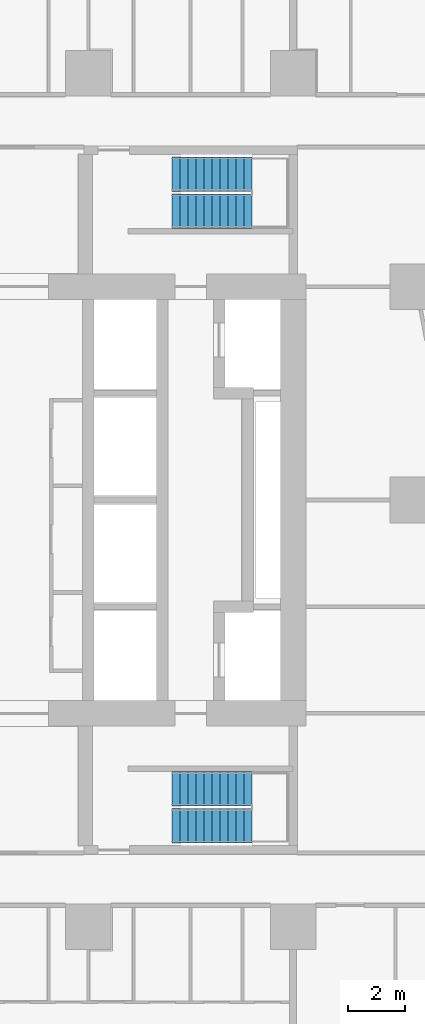
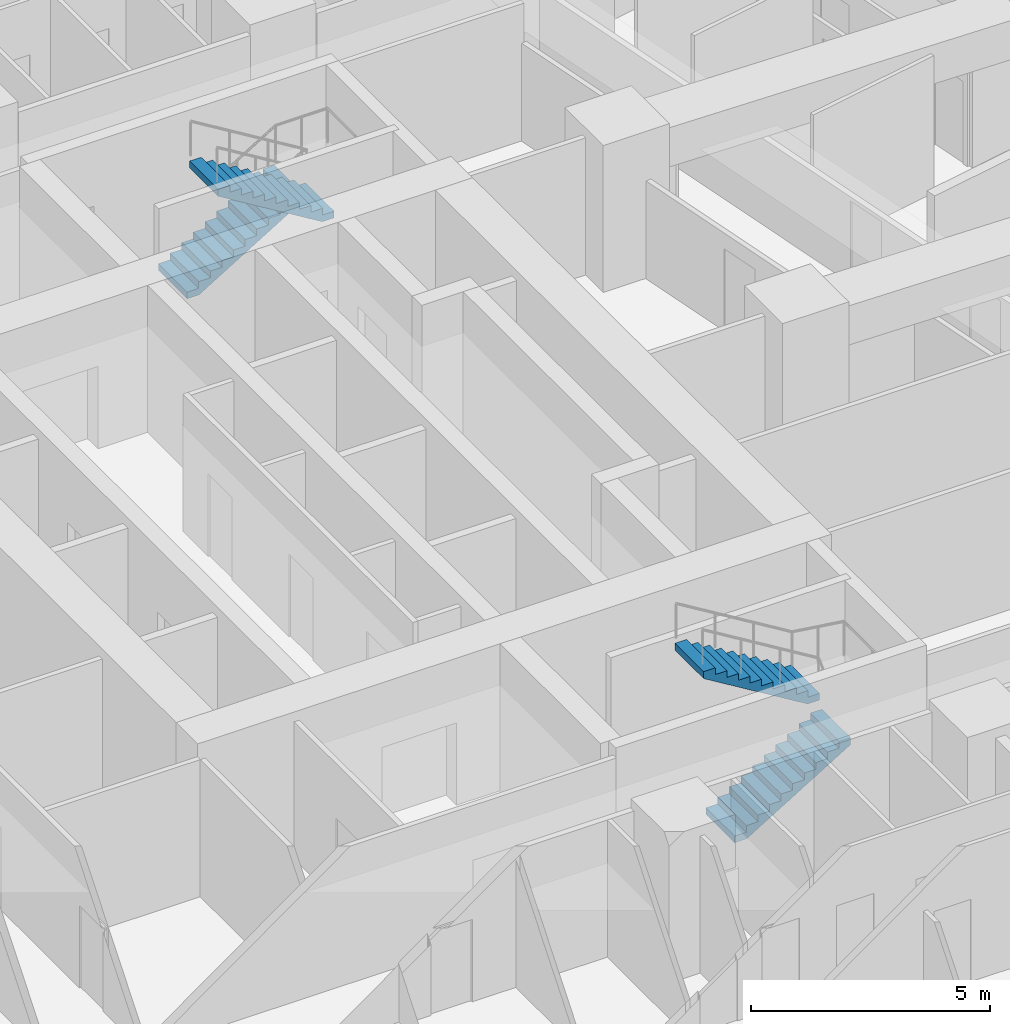
# One storey, part 12 of 15: 4 stair flights, 2 elements without a shape of their own.
"""IFC4 building model written with IfcOpenShell, lengths in metres."""

from ifc_helpers import new_model, si_unit, direction, frame, origin, place, context, subcontext, project, spatial, triangles, material, type_object, element, aggregate, save


model = new_model("IFC4")

# Units and contexts
model_context = context("Model", 3, precision=1e-05, world=origin(), true_north=direction((0.0, 1.0)))
body_context = subcontext(model_context, "Body", "Model", "MODEL_VIEW")
ifc_project = project(units=[si_unit("LENGTHUNIT", "METRE"), si_unit("AREAUNIT", "SQUARE_METRE"), si_unit("VOLUMEUNIT", "CUBIC_METRE"), si_unit("PLANEANGLEUNIT", "RADIAN"), si_unit("MASSUNIT", "GRAM", prefix="KILO")], contexts=[model_context])

# Site, building, storey
site_placement = place(None, origin())
site = spatial("IfcSite", under=ifc_project, at=site_placement, CompositionType="ELEMENT")
building_placement = place(site_placement, origin())
building = spatial("IfcBuilding", under=site, at=building_placement, Name="Sheger Commons Tower", CompositionType="ELEMENT")
storey_placement = place(building_placement, frame((0.0, 0.0, 85.39990234375)))
storey = spatial("IfcBuildingStorey", under=building, at=storey_placement, Name="L21", CompositionType="ELEMENT", Elevation=85.39990234375)

# Stair, stair flights
ifc_material_1 = material(Name="Concrete C35/45", Category="concrete")
stair_type = type_object("IfcStairType", Name="HALF-TURN STAIR 1200 RISE 3750", PredefinedType="HALF_TURN_STAIR", material=ifc_material_1)
stair_1_placement = place(storey_placement, origin())
stair_1 = element("IfcStair", 1, at=stair_1_placement, inside=storey, type_object=stair_type, Name="Stair S1 L21", PredefinedType="HALF_TURN_STAIR")
ifc_material_2 = material(Name="Concrete C35/45", Category="concrete")
stair_flight_type = type_object("IfcStairFlightType", Name="STAIR FLIGHT 1200 11 RISERS OF 170", PredefinedType="STRAIGHT", material=ifc_material_2)
stair_flight_1_placement = place(storey_placement, frame((24.550048828125, 11.050048828125, 0.0), z_axis=(0.0, 0.0, 1.0), x_axis=(1.0, 0.0, 0.0)))
stair_flight_1 = element("IfcStairFlight", 2, at=stair_flight_1_placement, type_object=stair_flight_type, Name="S1 flight 1", NumberOfRisers=11, NumberOfTreads=10, PredefinedType="STRAIGHT", RiserHeight=0.170454545, TreadLength=0.28, context=body_context, shape_type="Tessellation", body=[
    triangles([(0.0, 0.5999755859375, 0.0), (0.0, 0.5999755859375, 0.17041015625), (0.280029296875, 0.5999755859375, 0.17041015625), (0.280029296875, 0.5999755859375, 0.3408203125), (0.56005859375, 0.5999755859375, 0.3408203125), (0.56005859375, 0.5999755859375, 0.511474609375), (0.840087890625, 0.5999755859375, 0.511474609375), (0.840087890625, 0.5999755859375, 0.681884765625), (1.1201171875, 0.5999755859375, 0.681884765625), (1.1201171875, 0.5999755859375, 0.852294921875), (1.39990234375, 0.5999755859375, 0.852294921875), (1.39990234375, 0.5999755859375, 1.022705078125), (1.679931640625, 0.5999755859375, 1.022705078125), (1.679931640625, 0.5999755859375, 1.193115234375), (1.9599609375, 0.5999755859375, 1.193115234375), (1.9599609375, 0.5999755859375, 1.363525390625), (2.239990234375, 0.5999755859375, 1.363525390625), (2.239990234375, 0.5999755859375, 1.5341796875), (2.52001953125, 0.5999755859375, 1.5341796875), (2.52001953125, 0.5999755859375, 1.70458984375), (2.800048828125, 0.5999755859375, 1.70458984375), (2.800048828125, 0.5999755859375, 1.529052734375), (0.288330078125, 0.5999755859375, 0.0), (0.0, -0.5999755859375, 0.0), (0.0, -0.5999755859375, 0.17041015625), (0.280029296875, -0.5999755859375, 0.17041015625), (0.280029296875, -0.5999755859375, 0.3408203125), (0.56005859375, -0.5999755859375, 0.3408203125), (0.56005859375, -0.5999755859375, 0.511474609375), (0.840087890625, -0.5999755859375, 0.511474609375), (0.840087890625, -0.5999755859375, 0.681884765625), (1.1201171875, -0.5999755859375, 0.681884765625), (1.1201171875, -0.5999755859375, 0.852294921875), (1.39990234375, -0.5999755859375, 0.852294921875), (1.39990234375, -0.5999755859375, 1.022705078125), (1.679931640625, -0.5999755859375, 1.022705078125), (1.679931640625, -0.5999755859375, 1.193115234375), (1.9599609375, -0.5999755859375, 1.193115234375), (1.9599609375, -0.5999755859375, 1.363525390625), (2.239990234375, -0.5999755859375, 1.363525390625), (2.239990234375, -0.5999755859375, 1.5341796875), (2.52001953125, -0.5999755859375, 1.5341796875), (2.52001953125, -0.5999755859375, 1.70458984375), (2.800048828125, -0.5999755859375, 1.70458984375), (2.800048828125, -0.5999755859375, 1.529052734375), (0.288330078125, -0.5999755859375, 0.0), (0.0, 0.0, 0.085205078125), (0.1400146484375, 0.0, 0.17041015625), (0.280029296875, 0.0, 0.255615234375), (0.4200439453125, 0.0, 0.3408203125), (0.56005859375, 0.0, 0.4261474609375), (0.7000732421875, 0.0, 0.511474609375), (0.840087890625, 0.0, 0.5966796875), (0.9801025390625, 0.0, 0.681884765625), (1.1201171875, 0.0, 0.76708984375), (1.260009765625, 0.0, 0.852294921875), (1.39990234375, 0.0, 0.9375), (1.5399169921875, 0.0, 1.022705078125), (1.679931640625, 0.0, 1.10791015625), (1.8199462890625, 0.0, 1.193115234375), (1.9599609375, 0.0, 1.2783203125), (2.0999755859375, 0.0, 1.363525390625), (2.239990234375, 0.0, 1.4488525390625), (2.3800048828125, 0.0, 1.5341796875), (2.52001953125, 0.0, 1.619384765625), (2.6600341796875, 0.0, 1.70458984375), (2.800048828125, 0.0, 1.6168212890625), (1.544189453125, 0.0, 0.7645263671875), (0.1441650390625, 0.0, 0.0)], [[1, 22, 23], [24, 46, 45], [22, 20, 21], [45, 44, 43], [22, 19, 20], [45, 43, 42], [22, 18, 19], [45, 42, 41], [22, 17, 18], [45, 41, 40], [17, 15, 16], [40, 39, 38], [22, 15, 17], [45, 40, 38], [15, 13, 14], [38, 37, 36], [22, 13, 15], [45, 38, 36], [13, 11, 12], [36, 35, 34], [22, 11, 13], [45, 36, 34], [11, 9, 10], [34, 33, 32], [22, 9, 11], [45, 34, 32], [9, 7, 8], [32, 31, 30], [22, 7, 9], [45, 32, 30], [7, 5, 6], [30, 29, 28], [22, 5, 7], [45, 30, 28], [5, 3, 4], [28, 27, 26], [22, 3, 5], [45, 28, 26], [1, 3, 22], [24, 45, 26], [3, 1, 2], [26, 25, 24], [1, 47, 2], [2, 47, 25], [25, 47, 24], [24, 47, 1], [2, 48, 3], [3, 48, 26], [26, 48, 25], [25, 48, 2], [3, 49, 4], [4, 49, 27], [27, 49, 26], [26, 49, 3], [4, 50, 5], [5, 50, 28], [28, 50, 27], [27, 50, 4], [5, 51, 6], [6, 51, 29], [29, 51, 28], [28, 51, 5], [6, 52, 7], [7, 52, 30], [30, 52, 29], [29, 52, 6], [7, 53, 8], [8, 53, 31], [31, 53, 30], [30, 53, 7], [8, 54, 9], [9, 54, 32], [32, 54, 31], [31, 54, 8], [9, 55, 10], [10, 55, 33], [33, 55, 32], [32, 55, 9], [10, 56, 11], [11, 56, 34], [34, 56, 33], [33, 56, 10], [11, 57, 12], [12, 57, 35], [35, 57, 34], [34, 57, 11], [12, 58, 13], [13, 58, 36], [36, 58, 35], [35, 58, 12], [13, 59, 14], [14, 59, 37], [37, 59, 36], [36, 59, 13], [14, 60, 15], [15, 60, 38], [38, 60, 37], [37, 60, 14], [15, 61, 16], [16, 61, 39], [39, 61, 38], [38, 61, 15], [16, 62, 17], [17, 62, 40], [40, 62, 39], [39, 62, 16], [17, 63, 18], [18, 63, 41], [41, 63, 40], [40, 63, 17], [18, 64, 19], [19, 64, 42], [42, 64, 41], [41, 64, 18], [19, 65, 20], [20, 65, 43], [43, 65, 42], [42, 65, 19], [20, 66, 21], [21, 66, 44], [44, 66, 43], [43, 66, 20], [21, 67, 22], [22, 67, 45], [45, 67, 44], [44, 67, 21], [22, 68, 23], [23, 68, 46], [46, 68, 45], [45, 68, 22], [23, 69, 1], [1, 69, 24], [24, 69, 46], [46, 69, 23]], closed=True),
])
stair_flight_2_placement = place(storey_placement, frame((27.35009765625, 12.35009765625, 1.875), z_axis=(0.0, 0.0, 1.0), x_axis=(-1.0, 0.0, 0.0)))
stair_flight_2 = element("IfcStairFlight", 3, at=stair_flight_2_placement, type_object=stair_flight_type, Name="S1 flight 2", NumberOfRisers=11, NumberOfTreads=10, PredefinedType="STRAIGHT", RiserHeight=0.170454545, TreadLength=0.28, context=body_context, shape_type="Tessellation", body=[
    triangles([(0.0, 0.5999755859375, 0.0), (0.0, 0.5999755859375, 0.17041015625), (0.280029296875, 0.5999755859375, 0.17041015625), (0.280029296875, 0.5999755859375, 0.3408203125), (0.56005859375, 0.5999755859375, 0.3408203125), (0.56005859375, 0.5999755859375, 0.511474609375), (0.840087890625, 0.5999755859375, 0.511474609375), (0.840087890625, 0.5999755859375, 0.681884765625), (1.1201171875, 0.5999755859375, 0.681884765625), (1.1201171875, 0.5999755859375, 0.852294921875), (1.39990234375, 0.5999755859375, 0.852294921875), (1.39990234375, 0.5999755859375, 1.022705078125), (1.679931640625, 0.5999755859375, 1.022705078125), (1.679931640625, 0.5999755859375, 1.193115234375), (1.9599609375, 0.5999755859375, 1.193115234375), (1.9599609375, 0.5999755859375, 1.363525390625), (2.239990234375, 0.5999755859375, 1.363525390625), (2.239990234375, 0.5999755859375, 1.5341796875), (2.52001953125, 0.5999755859375, 1.5341796875), (2.52001953125, 0.5999755859375, 1.70458984375), (2.800048828125, 0.5999755859375, 1.70458984375), (2.800048828125, 0.5999755859375, 1.529052734375), (0.288330078125, 0.5999755859375, 0.0), (0.0, -0.5999755859375, 0.0), (0.0, -0.5999755859375, 0.17041015625), (0.280029296875, -0.5999755859375, 0.17041015625), (0.280029296875, -0.5999755859375, 0.3408203125), (0.56005859375, -0.5999755859375, 0.3408203125), (0.56005859375, -0.5999755859375, 0.511474609375), (0.840087890625, -0.5999755859375, 0.511474609375), (0.840087890625, -0.5999755859375, 0.681884765625), (1.1201171875, -0.5999755859375, 0.681884765625), (1.1201171875, -0.5999755859375, 0.852294921875), (1.39990234375, -0.5999755859375, 0.852294921875), (1.39990234375, -0.5999755859375, 1.022705078125), (1.679931640625, -0.5999755859375, 1.022705078125), (1.679931640625, -0.5999755859375, 1.193115234375), (1.9599609375, -0.5999755859375, 1.193115234375), (1.9599609375, -0.5999755859375, 1.363525390625), (2.239990234375, -0.5999755859375, 1.363525390625), (2.239990234375, -0.5999755859375, 1.5341796875), (2.52001953125, -0.5999755859375, 1.5341796875), (2.52001953125, -0.5999755859375, 1.70458984375), (2.800048828125, -0.5999755859375, 1.70458984375), (2.800048828125, -0.5999755859375, 1.529052734375), (0.288330078125, -0.5999755859375, 0.0), (0.0, 0.0, 0.085205078125), (0.1400146484375, 0.0, 0.17041015625), (0.280029296875, 0.0, 0.255615234375), (0.4200439453125, 0.0, 0.3408203125), (0.56005859375, 0.0, 0.4261474609375), (0.7000732421875, 0.0, 0.511474609375), (0.840087890625, 0.0, 0.5966796875), (0.9801025390625, 0.0, 0.681884765625), (1.1201171875, 0.0, 0.76708984375), (1.260009765625, 0.0, 0.852294921875), (1.39990234375, 0.0, 0.9375), (1.5399169921875, 0.0, 1.022705078125), (1.679931640625, 0.0, 1.10791015625), (1.8199462890625, 0.0, 1.193115234375), (1.9599609375, 0.0, 1.2783203125), (2.0999755859375, 0.0, 1.363525390625), (2.239990234375, 0.0, 1.4488525390625), (2.3800048828125, 0.0, 1.5341796875), (2.52001953125, 0.0, 1.619384765625), (2.6600341796875, 0.0, 1.70458984375), (2.800048828125, 0.0, 1.6168212890625), (1.544189453125, 0.0, 0.7645263671875), (0.1441650390625, 0.0, 0.0)], [[1, 22, 23], [24, 46, 45], [22, 20, 21], [45, 44, 43], [22, 19, 20], [45, 43, 42], [22, 18, 19], [45, 42, 41], [22, 17, 18], [45, 41, 40], [17, 15, 16], [40, 39, 38], [22, 15, 17], [45, 40, 38], [15, 13, 14], [38, 37, 36], [22, 13, 15], [45, 38, 36], [13, 11, 12], [36, 35, 34], [22, 11, 13], [45, 36, 34], [11, 9, 10], [34, 33, 32], [22, 9, 11], [45, 34, 32], [9, 7, 8], [32, 31, 30], [22, 7, 9], [45, 32, 30], [7, 5, 6], [30, 29, 28], [22, 5, 7], [45, 30, 28], [5, 3, 4], [28, 27, 26], [22, 3, 5], [45, 28, 26], [1, 3, 22], [24, 45, 26], [3, 1, 2], [26, 25, 24], [1, 47, 2], [2, 47, 25], [25, 47, 24], [24, 47, 1], [2, 48, 3], [3, 48, 26], [26, 48, 25], [25, 48, 2], [3, 49, 4], [4, 49, 27], [27, 49, 26], [26, 49, 3], [4, 50, 5], [5, 50, 28], [28, 50, 27], [27, 50, 4], [5, 51, 6], [6, 51, 29], [29, 51, 28], [28, 51, 5], [6, 52, 7], [7, 52, 30], [30, 52, 29], [29, 52, 6], [7, 53, 8], [8, 53, 31], [31, 53, 30], [30, 53, 7], [8, 54, 9], [9, 54, 32], [32, 54, 31], [31, 54, 8], [9, 55, 10], [10, 55, 33], [33, 55, 32], [32, 55, 9], [10, 56, 11], [11, 56, 34], [34, 56, 33], [33, 56, 10], [11, 57, 12], [12, 57, 35], [35, 57, 34], [34, 57, 11], [12, 58, 13], [13, 58, 36], [36, 58, 35], [35, 58, 12], [13, 59, 14], [14, 59, 37], [37, 59, 36], [36, 59, 13], [14, 60, 15], [15, 60, 38], [38, 60, 37], [37, 60, 14], [15, 61, 16], [16, 61, 39], [39, 61, 38], [38, 61, 15], [16, 62, 17], [17, 62, 40], [40, 62, 39], [39, 62, 16], [17, 63, 18], [18, 63, 41], [41, 63, 40], [40, 63, 17], [18, 64, 19], [19, 64, 42], [42, 64, 41], [41, 64, 18], [19, 65, 20], [20, 65, 43], [43, 65, 42], [42, 65, 19], [20, 66, 21], [21, 66, 44], [44, 66, 43], [43, 66, 20], [21, 67, 22], [22, 67, 45], [45, 67, 44], [44, 67, 21], [22, 68, 23], [23, 68, 46], [46, 68, 45], [45, 68, 22], [23, 69, 1], [1, 69, 24], [24, 69, 46], [46, 69, 23]], closed=True),
])
aggregate(stair_1, [stair_flight_1, stair_flight_2])

stair_2_placement = place(storey_placement, origin())
stair_2 = element("IfcStair", 4, at=stair_2_placement, inside=storey, type_object=stair_type, Name="Stair S2 L21", PredefinedType="HALF_TURN_STAIR")
stair_flight_3_placement = place(storey_placement, frame((24.550048828125, 33.949951171875, 0.0), z_axis=(0.0, 0.0, 1.0), x_axis=(1.0, 0.0, 0.0)))
stair_flight_3 = element("IfcStairFlight", 5, at=stair_flight_3_placement, type_object=stair_flight_type, Name="S2 flight 1", NumberOfRisers=11, NumberOfTreads=10, PredefinedType="STRAIGHT", RiserHeight=0.170454545, TreadLength=0.28, context=body_context, shape_type="Tessellation", body=[
    triangles([(0.0, 0.5999755859375, 0.0), (0.0, 0.5999755859375, 0.17041015625), (0.280029296875, 0.5999755859375, 0.17041015625), (0.280029296875, 0.5999755859375, 0.3408203125), (0.56005859375, 0.5999755859375, 0.3408203125), (0.56005859375, 0.5999755859375, 0.511474609375), (0.840087890625, 0.5999755859375, 0.511474609375), (0.840087890625, 0.5999755859375, 0.681884765625), (1.1201171875, 0.5999755859375, 0.681884765625), (1.1201171875, 0.5999755859375, 0.852294921875), (1.39990234375, 0.5999755859375, 0.852294921875), (1.39990234375, 0.5999755859375, 1.022705078125), (1.679931640625, 0.5999755859375, 1.022705078125), (1.679931640625, 0.5999755859375, 1.193115234375), (1.9599609375, 0.5999755859375, 1.193115234375), (1.9599609375, 0.5999755859375, 1.363525390625), (2.239990234375, 0.5999755859375, 1.363525390625), (2.239990234375, 0.5999755859375, 1.5341796875), (2.52001953125, 0.5999755859375, 1.5341796875), (2.52001953125, 0.5999755859375, 1.70458984375), (2.800048828125, 0.5999755859375, 1.70458984375), (2.800048828125, 0.5999755859375, 1.529052734375), (0.288330078125, 0.5999755859375, 0.0), (0.0, -0.5999755859375, 0.0), (0.0, -0.5999755859375, 0.17041015625), (0.280029296875, -0.5999755859375, 0.17041015625), (0.280029296875, -0.5999755859375, 0.3408203125), (0.56005859375, -0.5999755859375, 0.3408203125), (0.56005859375, -0.5999755859375, 0.511474609375), (0.840087890625, -0.5999755859375, 0.511474609375), (0.840087890625, -0.5999755859375, 0.681884765625), (1.1201171875, -0.5999755859375, 0.681884765625), (1.1201171875, -0.5999755859375, 0.852294921875), (1.39990234375, -0.5999755859375, 0.852294921875), (1.39990234375, -0.5999755859375, 1.022705078125), (1.679931640625, -0.5999755859375, 1.022705078125), (1.679931640625, -0.5999755859375, 1.193115234375), (1.9599609375, -0.5999755859375, 1.193115234375), (1.9599609375, -0.5999755859375, 1.363525390625), (2.239990234375, -0.5999755859375, 1.363525390625), (2.239990234375, -0.5999755859375, 1.5341796875), (2.52001953125, -0.5999755859375, 1.5341796875), (2.52001953125, -0.5999755859375, 1.70458984375), (2.800048828125, -0.5999755859375, 1.70458984375), (2.800048828125, -0.5999755859375, 1.529052734375), (0.288330078125, -0.5999755859375, 0.0), (0.0, 0.0, 0.085205078125), (0.1400146484375, 0.0, 0.17041015625), (0.280029296875, 0.0, 0.255615234375), (0.4200439453125, 0.0, 0.3408203125), (0.56005859375, 0.0, 0.4261474609375), (0.7000732421875, 0.0, 0.511474609375), (0.840087890625, 0.0, 0.5966796875), (0.9801025390625, 0.0, 0.681884765625), (1.1201171875, 0.0, 0.76708984375), (1.260009765625, 0.0, 0.852294921875), (1.39990234375, 0.0, 0.9375), (1.5399169921875, 0.0, 1.022705078125), (1.679931640625, 0.0, 1.10791015625), (1.8199462890625, 0.0, 1.193115234375), (1.9599609375, 0.0, 1.2783203125), (2.0999755859375, 0.0, 1.363525390625), (2.239990234375, 0.0, 1.4488525390625), (2.3800048828125, 0.0, 1.5341796875), (2.52001953125, 0.0, 1.619384765625), (2.6600341796875, 0.0, 1.70458984375), (2.800048828125, 0.0, 1.6168212890625), (1.544189453125, 0.0, 0.7645263671875), (0.1441650390625, 0.0, 0.0)], [[1, 22, 23], [24, 46, 45], [22, 20, 21], [45, 44, 43], [22, 19, 20], [45, 43, 42], [22, 18, 19], [45, 42, 41], [22, 17, 18], [45, 41, 40], [17, 15, 16], [40, 39, 38], [22, 15, 17], [45, 40, 38], [15, 13, 14], [38, 37, 36], [22, 13, 15], [45, 38, 36], [13, 11, 12], [36, 35, 34], [22, 11, 13], [45, 36, 34], [11, 9, 10], [34, 33, 32], [22, 9, 11], [45, 34, 32], [9, 7, 8], [32, 31, 30], [22, 7, 9], [45, 32, 30], [7, 5, 6], [30, 29, 28], [22, 5, 7], [45, 30, 28], [5, 3, 4], [28, 27, 26], [22, 3, 5], [45, 28, 26], [1, 3, 22], [24, 45, 26], [3, 1, 2], [26, 25, 24], [1, 47, 2], [2, 47, 25], [25, 47, 24], [24, 47, 1], [2, 48, 3], [3, 48, 26], [26, 48, 25], [25, 48, 2], [3, 49, 4], [4, 49, 27], [27, 49, 26], [26, 49, 3], [4, 50, 5], [5, 50, 28], [28, 50, 27], [27, 50, 4], [5, 51, 6], [6, 51, 29], [29, 51, 28], [28, 51, 5], [6, 52, 7], [7, 52, 30], [30, 52, 29], [29, 52, 6], [7, 53, 8], [8, 53, 31], [31, 53, 30], [30, 53, 7], [8, 54, 9], [9, 54, 32], [32, 54, 31], [31, 54, 8], [9, 55, 10], [10, 55, 33], [33, 55, 32], [32, 55, 9], [10, 56, 11], [11, 56, 34], [34, 56, 33], [33, 56, 10], [11, 57, 12], [12, 57, 35], [35, 57, 34], [34, 57, 11], [12, 58, 13], [13, 58, 36], [36, 58, 35], [35, 58, 12], [13, 59, 14], [14, 59, 37], [37, 59, 36], [36, 59, 13], [14, 60, 15], [15, 60, 38], [38, 60, 37], [37, 60, 14], [15, 61, 16], [16, 61, 39], [39, 61, 38], [38, 61, 15], [16, 62, 17], [17, 62, 40], [40, 62, 39], [39, 62, 16], [17, 63, 18], [18, 63, 41], [41, 63, 40], [40, 63, 17], [18, 64, 19], [19, 64, 42], [42, 64, 41], [41, 64, 18], [19, 65, 20], [20, 65, 43], [43, 65, 42], [42, 65, 19], [20, 66, 21], [21, 66, 44], [44, 66, 43], [43, 66, 20], [21, 67, 22], [22, 67, 45], [45, 67, 44], [44, 67, 21], [22, 68, 23], [23, 68, 46], [46, 68, 45], [45, 68, 22], [23, 69, 1], [1, 69, 24], [24, 69, 46], [46, 69, 23]], closed=True),
])
stair_flight_4_placement = place(storey_placement, frame((27.35009765625, 32.64990234375, 1.875), z_axis=(0.0, 0.0, 1.0), x_axis=(-1.0, 0.0, 0.0)))
stair_flight_4 = element("IfcStairFlight", 6, at=stair_flight_4_placement, type_object=stair_flight_type, Name="S2 flight 2", NumberOfRisers=11, NumberOfTreads=10, PredefinedType="STRAIGHT", RiserHeight=0.170454545, TreadLength=0.28, context=body_context, shape_type="Tessellation", body=[
    triangles([(0.0, 0.5999755859375, 0.0), (0.0, 0.5999755859375, 0.17041015625), (0.280029296875, 0.5999755859375, 0.17041015625), (0.280029296875, 0.5999755859375, 0.3408203125), (0.56005859375, 0.5999755859375, 0.3408203125), (0.56005859375, 0.5999755859375, 0.511474609375), (0.840087890625, 0.5999755859375, 0.511474609375), (0.840087890625, 0.5999755859375, 0.681884765625), (1.1201171875, 0.5999755859375, 0.681884765625), (1.1201171875, 0.5999755859375, 0.852294921875), (1.39990234375, 0.5999755859375, 0.852294921875), (1.39990234375, 0.5999755859375, 1.022705078125), (1.679931640625, 0.5999755859375, 1.022705078125), (1.679931640625, 0.5999755859375, 1.193115234375), (1.9599609375, 0.5999755859375, 1.193115234375), (1.9599609375, 0.5999755859375, 1.363525390625), (2.239990234375, 0.5999755859375, 1.363525390625), (2.239990234375, 0.5999755859375, 1.5341796875), (2.52001953125, 0.5999755859375, 1.5341796875), (2.52001953125, 0.5999755859375, 1.70458984375), (2.800048828125, 0.5999755859375, 1.70458984375), (2.800048828125, 0.5999755859375, 1.529052734375), (0.288330078125, 0.5999755859375, 0.0), (0.0, -0.5999755859375, 0.0), (0.0, -0.5999755859375, 0.17041015625), (0.280029296875, -0.5999755859375, 0.17041015625), (0.280029296875, -0.5999755859375, 0.3408203125), (0.56005859375, -0.5999755859375, 0.3408203125), (0.56005859375, -0.5999755859375, 0.511474609375), (0.840087890625, -0.5999755859375, 0.511474609375), (0.840087890625, -0.5999755859375, 0.681884765625), (1.1201171875, -0.5999755859375, 0.681884765625), (1.1201171875, -0.5999755859375, 0.852294921875), (1.39990234375, -0.5999755859375, 0.852294921875), (1.39990234375, -0.5999755859375, 1.022705078125), (1.679931640625, -0.5999755859375, 1.022705078125), (1.679931640625, -0.5999755859375, 1.193115234375), (1.9599609375, -0.5999755859375, 1.193115234375), (1.9599609375, -0.5999755859375, 1.363525390625), (2.239990234375, -0.5999755859375, 1.363525390625), (2.239990234375, -0.5999755859375, 1.5341796875), (2.52001953125, -0.5999755859375, 1.5341796875), (2.52001953125, -0.5999755859375, 1.70458984375), (2.800048828125, -0.5999755859375, 1.70458984375), (2.800048828125, -0.5999755859375, 1.529052734375), (0.288330078125, -0.5999755859375, 0.0), (0.0, 0.0, 0.085205078125), (0.1400146484375, 0.0, 0.17041015625), (0.280029296875, 0.0, 0.255615234375), (0.4200439453125, 0.0, 0.3408203125), (0.56005859375, 0.0, 0.4261474609375), (0.7000732421875, 0.0, 0.511474609375), (0.840087890625, 0.0, 0.5966796875), (0.9801025390625, 0.0, 0.681884765625), (1.1201171875, 0.0, 0.76708984375), (1.260009765625, 0.0, 0.852294921875), (1.39990234375, 0.0, 0.9375), (1.5399169921875, 0.0, 1.022705078125), (1.679931640625, 0.0, 1.10791015625), (1.8199462890625, 0.0, 1.193115234375), (1.9599609375, 0.0, 1.2783203125), (2.0999755859375, 0.0, 1.363525390625), (2.239990234375, 0.0, 1.4488525390625), (2.3800048828125, 0.0, 1.5341796875), (2.52001953125, 0.0, 1.619384765625), (2.6600341796875, 0.0, 1.70458984375), (2.800048828125, 0.0, 1.6168212890625), (1.544189453125, 0.0, 0.7645263671875), (0.1441650390625, 0.0, 0.0)], [[1, 22, 23], [24, 46, 45], [22, 20, 21], [45, 44, 43], [22, 19, 20], [45, 43, 42], [22, 18, 19], [45, 42, 41], [22, 17, 18], [45, 41, 40], [17, 15, 16], [40, 39, 38], [22, 15, 17], [45, 40, 38], [15, 13, 14], [38, 37, 36], [22, 13, 15], [45, 38, 36], [13, 11, 12], [36, 35, 34], [22, 11, 13], [45, 36, 34], [11, 9, 10], [34, 33, 32], [22, 9, 11], [45, 34, 32], [9, 7, 8], [32, 31, 30], [22, 7, 9], [45, 32, 30], [7, 5, 6], [30, 29, 28], [22, 5, 7], [45, 30, 28], [5, 3, 4], [28, 27, 26], [22, 3, 5], [45, 28, 26], [1, 3, 22], [24, 45, 26], [3, 1, 2], [26, 25, 24], [1, 47, 2], [2, 47, 25], [25, 47, 24], [24, 47, 1], [2, 48, 3], [3, 48, 26], [26, 48, 25], [25, 48, 2], [3, 49, 4], [4, 49, 27], [27, 49, 26], [26, 49, 3], [4, 50, 5], [5, 50, 28], [28, 50, 27], [27, 50, 4], [5, 51, 6], [6, 51, 29], [29, 51, 28], [28, 51, 5], [6, 52, 7], [7, 52, 30], [30, 52, 29], [29, 52, 6], [7, 53, 8], [8, 53, 31], [31, 53, 30], [30, 53, 7], [8, 54, 9], [9, 54, 32], [32, 54, 31], [31, 54, 8], [9, 55, 10], [10, 55, 33], [33, 55, 32], [32, 55, 9], [10, 56, 11], [11, 56, 34], [34, 56, 33], [33, 56, 10], [11, 57, 12], [12, 57, 35], [35, 57, 34], [34, 57, 11], [12, 58, 13], [13, 58, 36], [36, 58, 35], [35, 58, 12], [13, 59, 14], [14, 59, 37], [37, 59, 36], [36, 59, 13], [14, 60, 15], [15, 60, 38], [38, 60, 37], [37, 60, 14], [15, 61, 16], [16, 61, 39], [39, 61, 38], [38, 61, 15], [16, 62, 17], [17, 62, 40], [40, 62, 39], [39, 62, 16], [17, 63, 18], [18, 63, 41], [41, 63, 40], [40, 63, 17], [18, 64, 19], [19, 64, 42], [42, 64, 41], [41, 64, 18], [19, 65, 20], [20, 65, 43], [43, 65, 42], [42, 65, 19], [20, 66, 21], [21, 66, 44], [44, 66, 43], [43, 66, 20], [21, 67, 22], [22, 67, 45], [45, 67, 44], [44, 67, 21], [22, 68, 23], [23, 68, 46], [46, 68, 45], [45, 68, 22], [23, 69, 1], [1, 69, 24], [24, 69, 46], [46, 69, 23]], closed=True),
])
aggregate(stair_2, [stair_flight_3, stair_flight_4])

save(model, "model.ifc")
